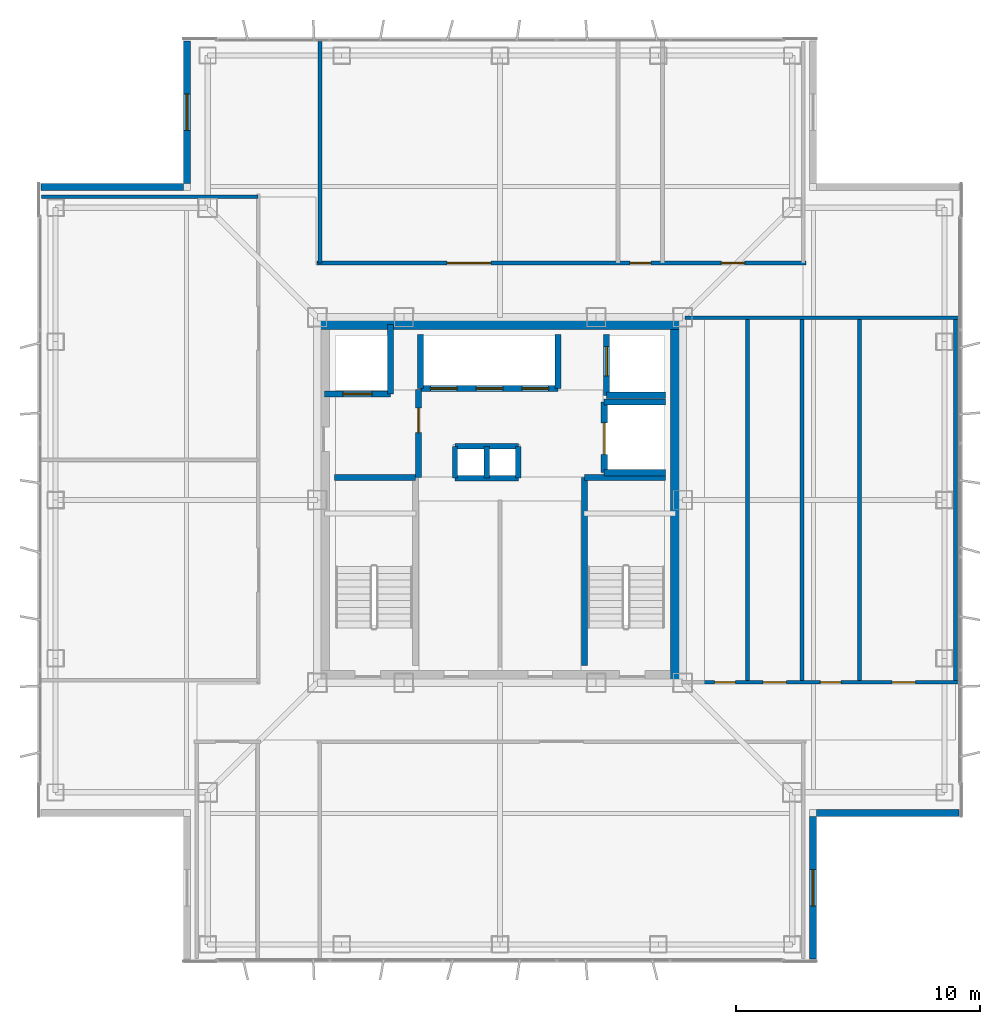
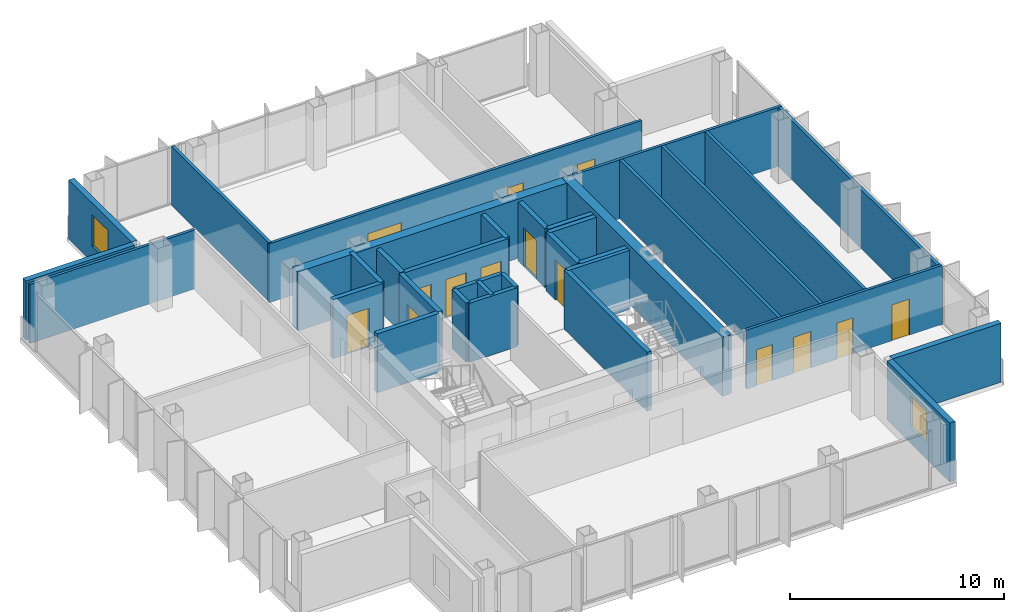
# One storey, part 8 of 15: 34 walls, 14 doors, 2 windows, 16 openings.
"""IFC4 building model written with IfcOpenShell, lengths in metres."""

import ifcopenshell
import ifcopenshell.guid

model = None  # the IFC model being written
_history = None  # IfcOwnerHistory: only IFC2X3 demands one
_inside = {}  # id of a spatial element -> (the spatial element, [elements in it])
_under = {}  # id of a project, library or spatial element -> (it, [spatial elements below it])
_declared = {}  # id of a project -> (the project, [libraries it declares])
_typed = {}  # id of a type object -> (the type object, [elements of that type])
_made_of = {}  # id of a material, layer set ... -> (it, [elements and type objects made of it])


def new_model(schema):
    """Start an empty IFC model of exactly this schema.

    Asked for "IFC4X3", IfcOpenShell would pick the latest addendum, in which some entities
    have other attributes; the version numbers below select the first issue.
    IFC2X3 requires an IfcOwnerHistory on every rooted entity: one is made here for all.
    """
    global model, _history
    if schema == "IFC4X3":
        model = ifcopenshell.file(schema_version=(4, 3, 0, 0))
    else:
        model = ifcopenshell.file(schema=schema)
    _inside.clear()
    _under.clear()
    _declared.clear()
    _typed.clear()
    _made_of.clear()
    _history = None
    if model.schema == "IFC2X3":
        org = make("IfcOrganization", Name="unknown")
        user = make(
            "IfcPersonAndOrganization",
            ThePerson=make("IfcPerson", FamilyName="unknown"),
            TheOrganization=org,
        )
        app = make(
            "IfcApplication",
            ApplicationDeveloper=org,
            Version="unknown",
            ApplicationFullName="unknown",
            ApplicationIdentifier="unknown",
        )
        _history = make(
            "IfcOwnerHistory",
            OwningUser=user,
            OwningApplication=app,
            ChangeAction="ADDED",
            CreationDate=0,
        )
    return model


def make(cls, **values):
    """One entity of the class cls with the attributes given. An attribute that is None is left unset."""
    return model.create_entity(
        cls, **{name: value for name, value in values.items() if value is not None}
    )


def rooted(cls, **values):
    """An entity with a GlobalId (a new one), such as an element, a storey or a relation."""
    return make(cls, GlobalId=ifcopenshell.guid.new(), OwnerHistory=_history, **values)


def si_unit(unit_type, name, prefix=None):
    """IfcSIUnit, for example si_unit("LENGTHUNIT", "METRE", prefix="MILLI")."""
    return make("IfcSIUnit", UnitType=unit_type, Prefix=prefix, Name=name)


def assignment(units):
    """IfcUnitAssignment: the units of a project."""
    return None if units is None else make("IfcUnitAssignment", Units=units)


def point(xyz):
    """IfcCartesianPoint."""
    return None if xyz is None else make("IfcCartesianPoint", Coordinates=xyz)


def direction(xyz):
    """IfcDirection."""
    return None if xyz is None else make("IfcDirection", DirectionRatios=xyz)


def frame(location, z_axis=None, x_axis=None):
    """IfcAxis2Placement3D, a coordinate frame: its origin and axes. An axis left out is left unset."""
    return make(
        "IfcAxis2Placement3D",
        Location=point(location),
        Axis=direction(z_axis),
        RefDirection=direction(x_axis),
    )


def frame_2d(location, x_axis=None):
    """IfcAxis2Placement2D, a coordinate frame in the plane: its origin and x axis."""
    return make(
        "IfcAxis2Placement2D", Location=point(location), RefDirection=direction(x_axis)
    )


def origin():
    """The frame at (0, 0, 0) with its axes left unset."""
    return frame((0.0, 0.0, 0.0))


def place(relative_to, where):
    """IfcLocalPlacement: puts the frame where relative to a parent placement (None: the world)."""
    return make(
        "IfcLocalPlacement", PlacementRelTo=relative_to, RelativePlacement=where
    )


def context(
    kind, dimensions, precision=None, world=None, true_north=None, identifier=None
):
    """IfcGeometricRepresentationContext, for example the 3D "Model" context."""
    return make(
        "IfcGeometricRepresentationContext",
        ContextIdentifier=identifier,
        ContextType=kind,
        CoordinateSpaceDimension=dimensions,
        Precision=precision,
        WorldCoordinateSystem=world,
        TrueNorth=true_north,
    )


def subcontext(parent, identifier, kind, view, scale=None):
    """IfcGeometricRepresentationSubContext, for example "Body" below "Model"."""
    return make(
        "IfcGeometricRepresentationSubContext",
        ContextIdentifier=identifier,
        ContextType=kind,
        ParentContext=parent,
        TargetScale=scale,
        TargetView=view,
    )


def project(units=None, contexts=None):
    """IfcProject with its units and contexts."""
    return rooted(
        "IfcProject",
        Name="project",
        RepresentationContexts=contexts,
        UnitsInContext=assignment(units),
    )


def spatial(cls, under=None, at=None, **own):
    """A site, building, storey or space (cls), placed at a placement, below another one or the project."""
    s = rooted(cls, ObjectPlacement=at, **own)
    if under is not None:
        _under.setdefault(under.id(), (under, []))[1].append(s)
    return s


def profile(cls, at=None, kind="AREA", **sizes):
    """A parametric profile (cls). Its sizes go by their IFC names, for example OverallWidth=200.0."""
    return make(cls, ProfileType=kind, Position=at, **sizes)


def rectangle(**sizes):
    """IfcRectangleProfileDef."""
    return profile("IfcRectangleProfileDef", **sizes)


def extrude(swept, where, along, depth):
    """IfcExtrudedAreaSolid: the profile swept, set in the frame where, extruded along a direction by depth."""
    return make(
        "IfcExtrudedAreaSolid",
        SweptArea=swept,
        Position=where,
        ExtrudedDirection=direction(along),
        Depth=depth,
    )


def shape(context_of_items, identifier, shape_type, items):
    """IfcShapeRepresentation: the items that make up one representation, for example the "Body"."""
    return make(
        "IfcShapeRepresentation",
        ContextOfItems=context_of_items,
        RepresentationIdentifier=identifier,
        RepresentationType=shape_type,
        Items=items,
    )


def material(Name=None, Category=None):
    """IfcMaterial."""
    return make("IfcMaterial", Name=Name, Category=Category)


def layer(
    of_material, thickness, ventilated=None, Name=None, Category=None, Priority=None
):
    """IfcMaterialLayer: one layer of a wall or slab, of a material (None: an air gap)."""
    return make(
        "IfcMaterialLayer",
        Material=of_material,
        LayerThickness=thickness,
        IsVentilated=ventilated,
        Name=Name,
        Category=Category,
        Priority=Priority,
    )


def layer_set(layers, Name=None):
    """IfcMaterialLayerSet."""
    return make("IfcMaterialLayerSet", MaterialLayers=layers, LayerSetName=Name)


def made_of(thing, what):
    """Note that an element or type object is made of a material, layer set ...; save() writes the relation."""
    if what is not None:
        _made_of.setdefault(what.id(), (what, []))[1].append(thing)
    return thing


def type_object(cls, material=None, **own):
    """A type object (cls), such as IfcWallType, which elements share."""
    return made_of(rooted(cls, **own), material)


def element(
    cls,
    number,
    at=None,
    inside=None,
    cuts=None,
    type_object=None,
    material=None,
    context=None,
    identifier="Body",
    shape_type=None,
    held_by="IfcProductDefinitionShape",
    body=None,
    shapes=None,
    **own,
):
    """One element of the class cls, such as IfcWall. Its Tag is "e" and its number.

    at: its placement. inside: the storey or other place that contains it. cuts: it is an
    opening in that element (IfcRelVoidsElement). A single representation is given by context,
    identifier, shape_type and body (its items); several are given by shapes. held_by: the class
    of the entity that holds the representations. save() writes the other relations.
    """
    e = rooted(cls, Tag="e%d" % number, ObjectPlacement=at, **own)
    if body is not None:
        shapes = [shape(context, identifier, shape_type, body)]
    if shapes is not None:
        e.Representation = make(held_by, Representations=shapes)
    if inside is not None:
        _inside.setdefault(inside.id(), (inside, []))[1].append(e)
    if cuts is not None:
        rooted(
            "IfcRelVoidsElement", RelatingBuildingElement=cuts, RelatedOpeningElement=e
        )
    if type_object is not None:
        _typed.setdefault(type_object.id(), (type_object, []))[1].append(e)
    return made_of(e, material)


def fill(opening, filler):
    """IfcRelFillsElement: the door or window that sits in an opening."""
    return rooted(
        "IfcRelFillsElement",
        RelatingOpeningElement=opening,
        RelatedBuildingElement=filler,
    )


def aggregate(whole, parts):
    """IfcRelAggregates: a whole, such as a stair, and the parts it consists of."""
    return rooted("IfcRelAggregates", RelatingObject=whole, RelatedObjects=parts)


def save(model, path):
    """Write the relations noted so far, then the file.

    IfcRelAggregates (storeys below a building ...), IfcRelContainedInSpatialStructure (elements
    in a storey), IfcRelDefinesByType, IfcRelAssociatesMaterial and IfcRelDeclares: one each for
    every whole, place, type object, material and project.
    """
    for whole, parts in _under.values():
        aggregate(whole, parts)
    for where, things in _inside.values():
        rooted(
            "IfcRelContainedInSpatialStructure",
            RelatedElements=things,
            RelatingStructure=where,
        )
    for kind, things in _typed.values():
        rooted("IfcRelDefinesByType", RelatedObjects=things, RelatingType=kind)
    for what, things in _made_of.values():
        rooted("IfcRelAssociatesMaterial", RelatedObjects=things, RelatingMaterial=what)
    for by, libraries in _declared.values():
        rooted("IfcRelDeclares", RelatingContext=by, RelatedDefinitions=libraries)
    model.write(path)


model = new_model("IFC4")

# Units and contexts
model_context = context("Model", 3, precision=1e-05, world=origin(), true_north=direction((0.0, 1.0)))
body_context = subcontext(model_context, "Body", "Model", "MODEL_VIEW")
ifc_project = project(units=[si_unit("LENGTHUNIT", "METRE"), si_unit("AREAUNIT", "SQUARE_METRE"), si_unit("VOLUMEUNIT", "CUBIC_METRE"), si_unit("PLANEANGLEUNIT", "RADIAN"), si_unit("MASSUNIT", "GRAM", prefix="KILO")], contexts=[model_context])

# Site, building, storey
site_placement = place(None, origin())
site = spatial("IfcSite", under=ifc_project, at=site_placement, CompositionType="ELEMENT")
building_placement = place(site_placement, origin())
building = spatial("IfcBuilding", under=site, at=building_placement, Name="Trevonay Congress Spire", CompositionType="ELEMENT")
storey_placement = place(building_placement, frame((0.0, 0.0, 261.199951171875)))
storey = spatial("IfcBuildingStorey", under=building, at=storey_placement, Name="L68", CompositionType="ELEMENT", Elevation=261.199951171875)

# Walls
ifc_material_1 = material(Name="Concrete C50/60", Category="concrete")
ifc_layer_1 = layer(ifc_material_1, 0.5, Name="Concrete C50/60")
ifc_layer_set_1 = layer_set([ifc_layer_1], Name="Concrete C50/60")
wall_type_1 = type_object("IfcWallType", Name="WAL-CORE-500", PredefinedType="SHEAR", material=ifc_layer_set_1)
for number, where, z_axis, x_axis, name in (
    (1, (-7.5, 7.25, 0.0), (0.0, 0.0, 1.0), (1.0, 0.0, 0.0), "L68 North structural core shear wall"),
    (2, (7.25, -7.5, 0.0), (0.0, 0.0, 1.0), (0.0, 1.0, 0.0), "L68 East structural core shear wall"),
):
    element("IfcWall", number, at=place(storey_placement, frame(where, z_axis=z_axis, x_axis=x_axis)), inside=storey, type_object=wall_type_1, Name=name, PredefinedType="SHEAR", context=body_context, shape_type="SweptSolid", body=[
        extrude(rectangle(XDim=15.0, YDim=0.5, at=frame_2d((7.5, 0.0))), origin(), (0.0, 0.0, 1.0), 3.360107421875),
    ])

# Wall, openings, doors
ifc_material_2 = material(Name="Concrete C40/50", Category="concrete")
ifc_layer_2 = layer(ifc_material_2, 0.14990234375, Name="Concrete C40/50")
ifc_layer_set_2 = layer_set([ifc_layer_2], Name="Concrete C40/50")
wall_type_2 = type_object("IfcWallType", Name="WAL-CORR-150", PredefinedType="PARTITIONING", material=ifc_layer_set_2)
wall_1_placement = place(storey_placement, frame((-7.52001953125, 9.72998046875, 0.0), z_axis=(0.0, 0.0, 1.0), x_axis=(1.0, 0.0, 0.0)))
wall_1 = element("IfcWall", 3, at=wall_1_placement, inside=storey, type_object=wall_type_2, Name="L68 interior wall WP-L68N-COR", PredefinedType="PARTITIONING", context=body_context, shape_type="SweptSolid", body=[
    extrude(rectangle(XDim=20.090087890625, YDim=0.14990234375, at=frame_2d((10.044921875, 0.0))), origin(), (0.0, 0.0, 1.0), 3.360107421875),
])
opening_1_placement = place(wall_1_placement, frame((5.344970703125, 0.0, 0.0)))
opening_1 = element("IfcOpeningElement", 4, at=opening_1_placement, cuts=wall_1, Name="Opening D09", PredefinedType="OPENING", context=body_context, shape_type="SweptSolid", body=[
    extrude(rectangle(XDim=1.800048828125, YDim=2.080078125, at=frame_2d((0.89990234375, 1.0400390625))), frame((0.0, 0.0849609375, 0.0), z_axis=(0.0, -1.0, 0.0), x_axis=(1.0, 0.0, 0.0)), (0.0, 0.0, 1.0), 0.169921875),
])
opening_2_placement = place(wall_1_placement, frame((12.860107421875, 0.0, 0.0)))
opening_2 = element("IfcOpeningElement", 5, at=opening_2_placement, cuts=wall_1, Name="Opening D10", PredefinedType="OPENING", context=body_context, shape_type="SweptSolid", body=[
    extrude(rectangle(XDim=0.85009765625, YDim=2.050048828125, at=frame_2d((0.425048828125, 1.02490234375))), frame((0.0, 0.0849609375, 0.0), z_axis=(0.0, -1.0, 0.0), x_axis=(1.0, 0.0, 0.0)), (0.0, 0.0, 1.0), 0.169921875),
])
opening_3_placement = place(wall_1_placement, frame((16.610107421875, 0.0, 0.0)))
opening_3 = element("IfcOpeningElement", 6, at=opening_3_placement, cuts=wall_1, Name="Opening D07", PredefinedType="OPENING", context=body_context, shape_type="SweptSolid", body=[
    extrude(rectangle(XDim=0.949951171875, YDim=2.06005859375, at=frame_2d((0.47509765625, 1.030029296875))), frame((0.0, 0.0849609375, 0.0), z_axis=(0.0, -1.0, 0.0), x_axis=(1.0, 0.0, 0.0)), (0.0, 0.0, 1.0), 0.169921875),
])
ifc_material_3 = material(Name="Pale Anodised Aluminium EN AW-6063-T6", Category="aluminium")
door_type_1 = type_object("IfcDoorType", Name="DOR-CONF-DBL", OperationType="DOUBLE_DOOR_SINGLE_SWING", PredefinedType="DOOR", material=ifc_material_3)
door_1_placement = place(opening_1_placement, origin())
door_1 = element("IfcDoor", 7, at=door_1_placement, inside=storey, type_object=door_type_1, Name="L68 Sky Cocktail Lounge Bar Door", OperationType="DOUBLE_DOOR_SINGLE_SWING", OverallHeight=2.080078125, OverallWidth=1.800048828125, PredefinedType="DOOR", context=body_context, shape_type="SweptSolid", body=[
    extrude(rectangle(XDim=1.800048828125, YDim=2.080078125, at=frame_2d((0.89990234375, 1.0400390625))), frame((0.0, 0.02490234375, 0.0), z_axis=(0.0, -1.0, 0.0), x_axis=(1.0, 0.0, 0.0)), (0.0, 0.0, 1.0), 0.050048828125),
])
fill(opening_1, door_1)
door_type_2 = type_object("IfcDoorType", Name="DOR-OFFICE-95", OperationType="NOTDEFINED", PredefinedType="DOOR", material=ifc_material_3)
door_2_placement = place(opening_3_placement, origin())
door_2 = element("IfcDoor", 8, at=door_2_placement, inside=storey, type_object=door_type_2, Name="L68 Floor Supplies and Copy Room Door", OperationType="SINGLE_SWING_LEFT", OverallHeight=2.06005859375, OverallWidth=0.949951171875, PredefinedType="DOOR", context=body_context, shape_type="SweptSolid", body=[
    extrude(rectangle(XDim=0.949951171875, YDim=2.06005859375, at=frame_2d((0.47509765625, 1.030029296875))), frame((0.0, 0.02490234375, 0.0), z_axis=(0.0, -1.0, 0.0), x_axis=(1.0, 0.0, 0.0)), (0.0, 0.0, 1.0), 0.050048828125),
])
fill(opening_3, door_2)
door_type_3 = type_object("IfcDoorType", Name="DOR-WC-85", OperationType="NOTDEFINED", PredefinedType="DOOR", material=ifc_material_3)
door_3_placement = place(opening_2_placement, origin())
door_3 = element("IfcDoor", 9, at=door_3_placement, inside=storey, type_object=door_type_3, Name="L68 Accessible WC Door", OperationType="SINGLE_SWING_RIGHT", OverallHeight=2.050048828125, OverallWidth=0.85009765625, PredefinedType="DOOR", context=body_context, shape_type="SweptSolid", body=[
    extrude(rectangle(XDim=0.85009765625, YDim=2.050048828125, at=frame_2d((0.425048828125, 1.02490234375))), frame((0.0, 0.02490234375, 0.0), z_axis=(0.0, -1.0, 0.0), x_axis=(1.0, 0.0, 0.0)), (0.0, 0.0, 1.0), 0.050048828125),
])
fill(opening_2, door_3)

wall_2_placement = place(storey_placement, frame((8.280029296875, -7.47998046875, 0.0), z_axis=(0.0, 0.0, 1.0), x_axis=(1.0, 0.0, 0.0)))
wall_2 = element("IfcWall", 10, at=wall_2_placement, inside=storey, type_object=wall_type_2, Name="L68 interior wall WP-L68E-COR", PredefinedType="PARTITIONING", context=body_context, shape_type="SweptSolid", body=[
    extrude(rectangle(XDim=10.5400390625, YDim=0.14990234375, at=frame_2d((5.27001953125, 0.0))), origin(), (0.0, 0.0, 1.0), 3.360107421875),
])
opening_4_placement = place(wall_2_placement, frame((0.534912109375, 0.0, 0.0)))
opening_4 = element("IfcOpeningElement", 11, at=opening_4_placement, cuts=wall_2, Name="Opening D10", PredefinedType="OPENING", context=body_context, shape_type="SweptSolid", body=[
    extrude(rectangle(XDim=0.85009765625, YDim=2.050048828125, at=frame_2d((0.425048828125, 1.02490234375))), frame((0.0, 0.0849609375, 0.0), z_axis=(0.0, -1.0, 0.0), x_axis=(1.0, 0.0, 0.0)), (0.0, 0.0, 1.0), 0.169921875),
])
opening_5_placement = place(wall_2_placement, frame((2.52490234375, 0.0, 0.0)))
opening_5 = element("IfcOpeningElement", 12, at=opening_5_placement, cuts=wall_2, Name="Opening D07", PredefinedType="OPENING", context=body_context, shape_type="SweptSolid", body=[
    extrude(rectangle(XDim=0.949951171875, YDim=2.06005859375, at=frame_2d((0.47509765625, 1.030029296875))), frame((0.0, 0.0849609375, 0.0), z_axis=(0.0, -1.0, 0.0), x_axis=(1.0, 0.0, 0.0)), (0.0, 0.0, 1.0), 0.169921875),
])
opening_6_placement = place(wall_2_placement, frame((4.8701171875, 0.0, 0.0)))
opening_6 = element("IfcOpeningElement", 13, at=opening_6_placement, cuts=wall_2, Name="Opening D10", PredefinedType="OPENING", context=body_context, shape_type="SweptSolid", body=[
    extrude(rectangle(XDim=0.85009765625, YDim=2.050048828125, at=frame_2d((0.425048828125, 1.02490234375))), frame((0.0, 0.0849609375, 0.0), z_axis=(0.0, -1.0, 0.0), x_axis=(1.0, 0.0, 0.0)), (0.0, 0.0, 1.0), 0.169921875),
])
opening_7_placement = place(wall_2_placement, frame((7.820068359375, 0.0, 0.0)))
opening_7 = element("IfcOpeningElement", 14, at=opening_7_placement, cuts=wall_2, Name="Opening D07", PredefinedType="OPENING", context=body_context, shape_type="SweptSolid", body=[
    extrude(rectangle(XDim=0.949951171875, YDim=2.06005859375, at=frame_2d((0.47509765625, 1.030029296875))), frame((0.0, 0.0849609375, 0.0), z_axis=(0.0, -1.0, 0.0), x_axis=(1.0, 0.0, 0.0)), (0.0, 0.0, 1.0), 0.169921875),
])
door_4_placement = place(opening_5_placement, origin())
door_4 = element("IfcDoor", 15, at=door_4_placement, inside=storey, type_object=door_type_2, Name="L68 Floor Supplies and Copy Room Door", OperationType="SINGLE_SWING_LEFT", OverallHeight=2.06005859375, OverallWidth=0.949951171875, PredefinedType="DOOR", context=body_context, shape_type="SweptSolid", body=[
    extrude(rectangle(XDim=0.949951171875, YDim=2.06005859375, at=frame_2d((0.47509765625, 1.030029296875))), frame((0.0, 0.02490234375, 0.0), z_axis=(0.0, -1.0, 0.0), x_axis=(1.0, 0.0, 0.0)), (0.0, 0.0, 1.0), 0.050048828125),
])
fill(opening_5, door_4)
door_5_placement = place(opening_7_placement, origin())
door_5 = element("IfcDoor", 16, at=door_5_placement, inside=storey, type_object=door_type_2, Name="L68 Floor Supplies and Copy Room Door", OperationType="SINGLE_SWING_LEFT", OverallHeight=2.06005859375, OverallWidth=0.949951171875, PredefinedType="DOOR", context=body_context, shape_type="SweptSolid", body=[
    extrude(rectangle(XDim=0.949951171875, YDim=2.06005859375, at=frame_2d((0.47509765625, 1.030029296875))), frame((0.0, 0.02490234375, 0.0), z_axis=(0.0, -1.0, 0.0), x_axis=(1.0, 0.0, 0.0)), (0.0, 0.0, 1.0), 0.050048828125),
])
fill(opening_7, door_5)
door_6_placement = place(opening_4_placement, origin())
door_6 = element("IfcDoor", 17, at=door_6_placement, inside=storey, type_object=door_type_3, Name="L68 Female Restroom WC Door", OperationType="SINGLE_SWING_RIGHT", OverallHeight=2.050048828125, OverallWidth=0.85009765625, PredefinedType="DOOR", context=body_context, shape_type="SweptSolid", body=[
    extrude(rectangle(XDim=0.85009765625, YDim=2.050048828125, at=frame_2d((0.425048828125, 1.02490234375))), frame((0.0, 0.02490234375, 0.0), z_axis=(0.0, -1.0, 0.0), x_axis=(1.0, 0.0, 0.0)), (0.0, 0.0, 1.0), 0.050048828125),
])
fill(opening_4, door_6)
door_7_placement = place(opening_6_placement, origin())
door_7 = element("IfcDoor", 18, at=door_7_placement, inside=storey, type_object=door_type_3, Name="L68 Male Restroom WC Door", OperationType="SINGLE_SWING_RIGHT", OverallHeight=2.050048828125, OverallWidth=0.85009765625, PredefinedType="DOOR", context=body_context, shape_type="SweptSolid", body=[
    extrude(rectangle(XDim=0.85009765625, YDim=2.050048828125, at=frame_2d((0.425048828125, 1.02490234375))), frame((0.0, 0.02490234375, 0.0), z_axis=(0.0, -1.0, 0.0), x_axis=(1.0, 0.0, 0.0)), (0.0, 0.0, 1.0), 0.050048828125),
])
fill(opening_6, door_7)

# Wall, opening, window
ifc_material_4 = material(Name="Precast concrete C40/50", Category="concrete")
ifc_layer_3 = layer(ifc_material_4, 0.300048828125, Name="Precast concrete C40/50")
ifc_layer_set_3 = layer_set([ifc_layer_3], Name="Precast concrete C40/50")
wall_type_3 = type_object("IfcWallType", Name="WAL-EXT-PRECAST-300", PredefinedType="SOLIDWALL", material=ifc_layer_set_3)
wall_3_placement = place(storey_placement, frame((12.85009765625, -18.85009765625, 0.0), z_axis=(0.0, 0.0, 1.0), x_axis=(0.0, 1.0, 0.0)))
wall_3 = element("IfcWall", 19, at=wall_3_placement, inside=storey, type_object=wall_type_3, Name="L68 SE re-entrant notch exterior wall 1", PredefinedType="SOLIDWALL", context=body_context, shape_type="SweptSolid", body=[
    extrude(rectangle(XDim=5.85009765625, YDim=0.300048828125, at=frame_2d((2.925048828125, 0.0))), origin(), (0.0, 0.0, 1.0), 3.360107421875),
])
opening_8_placement = place(wall_3_placement, frame((2.175048828125, 0.0, 0.89990234375)))
opening_8 = element("IfcOpeningElement", 20, at=opening_8_placement, cuts=wall_3, Name="Opening WN03", PredefinedType="OPENING", context=body_context, shape_type="SweptSolid", body=[
    extrude(rectangle(XDim=1.5, YDim=1.800048828125, at=frame_2d((0.75, 0.89990234375))), frame((0.0, 0.16015625, 0.0), z_axis=(0.0, -1.0, 0.0), x_axis=(1.0, 0.0, 0.0)), (0.0, 0.0, 1.0), 0.320068359375),
])
ifc_material_5 = material(Name="Insulated Low-E Vision Glass IGU", Category="glass")
window_type = type_object("IfcWindowType", Name="WIN-NOTCH-150X180", PartitioningType="SINGLE_PANEL", PredefinedType="WINDOW", material=ifc_material_5)
window_1_placement = place(opening_8_placement, origin())
window_1 = element("IfcWindow", 21, at=window_1_placement, inside=storey, type_object=window_type, Name="L68 SE corner notch window", OverallHeight=1.800048828125, OverallWidth=1.5, PartitioningType="SINGLE_PANEL", PredefinedType="WINDOW", context=body_context, shape_type="SweptSolid", body=[
    extrude(rectangle(XDim=1.5, YDim=1.800048828125, at=frame_2d((0.75, 0.89990234375))), frame((0.0, 0.030029296875, 0.0), z_axis=(0.0, -1.0, 0.0), x_axis=(1.0, 0.0, 0.0)), (0.0, 0.0, 1.0), 0.06005859375),
])
fill(opening_8, window_1)

# Wall
wall_4_placement = place(storey_placement, frame((18.85009765625, -12.85009765625, 0.0), z_axis=(0.0, 0.0, 1.0), x_axis=(-1.0, 0.0, 0.0)))
element("IfcWall", 22, at=wall_4_placement, inside=storey, type_object=wall_type_3, Name="L68 SE re-entrant notch exterior wall 2", PredefinedType="SOLIDWALL", context=body_context, shape_type="SweptSolid", body=[
    extrude(rectangle(XDim=5.85009765625, YDim=0.300048828125, at=frame_2d((2.925048828125, 0.0))), origin(), (0.0, 0.0, 1.0), 3.360107421875),
])

# Wall, opening, window
wall_5_placement = place(storey_placement, frame((-12.85009765625, 18.85009765625, 0.0), z_axis=(0.0, 0.0, 1.0), x_axis=(0.0, -1.0, 0.0)))
wall_5 = element("IfcWall", 23, at=wall_5_placement, inside=storey, type_object=wall_type_3, Name="L68 NW re-entrant notch exterior wall 1", PredefinedType="SOLIDWALL", context=body_context, shape_type="SweptSolid", body=[
    extrude(rectangle(XDim=5.85009765625, YDim=0.300048828125, at=frame_2d((2.925048828125, 0.0))), origin(), (0.0, 0.0, 1.0), 3.360107421875),
])
opening_9_placement = place(wall_5_placement, frame((2.175048828125, 0.0, 0.89990234375)))
opening_9 = element("IfcOpeningElement", 24, at=opening_9_placement, cuts=wall_5, Name="Opening WN03", PredefinedType="OPENING", context=body_context, shape_type="SweptSolid", body=[
    extrude(rectangle(XDim=1.5, YDim=1.800048828125, at=frame_2d((0.75, 0.89990234375))), frame((0.0, 0.16015625, 0.0), z_axis=(0.0, -1.0, 0.0), x_axis=(1.0, 0.0, 0.0)), (0.0, 0.0, 1.0), 0.320068359375),
])
window_2_placement = place(opening_9_placement, origin())
window_2 = element("IfcWindow", 25, at=window_2_placement, inside=storey, type_object=window_type, Name="L68 NW corner notch window", OverallHeight=1.800048828125, OverallWidth=1.5, PartitioningType="SINGLE_PANEL", PredefinedType="WINDOW", context=body_context, shape_type="SweptSolid", body=[
    extrude(rectangle(XDim=1.5, YDim=1.800048828125, at=frame_2d((0.75, 0.89990234375))), frame((0.0, 0.030029296875, 0.0), z_axis=(0.0, -1.0, 0.0), x_axis=(1.0, 0.0, 0.0)), (0.0, 0.0, 1.0), 0.06005859375),
])
fill(opening_9, window_2)

# Walls
wall_6_placement = place(storey_placement, frame((-18.85009765625, 12.85009765625, 0.0), z_axis=(0.0, 0.0, 1.0), x_axis=(1.0, 0.0, 0.0)))
element("IfcWall", 26, at=wall_6_placement, inside=storey, type_object=wall_type_3, Name="L68 NW re-entrant notch exterior wall 2", PredefinedType="SOLIDWALL", context=body_context, shape_type="SweptSolid", body=[
    extrude(rectangle(XDim=5.85009765625, YDim=0.300048828125, at=frame_2d((2.925048828125, 0.0))), origin(), (0.0, 0.0, 1.0), 3.360107421875),
])
ifc_layer_4 = layer(ifc_material_2, 0.14990234375, Name="Concrete C40/50")
ifc_layer_set_4 = layer_set([ifc_layer_4], Name="Concrete C40/50")
wall_type_4 = type_object("IfcWallType", Name="WAL-PART-150", PredefinedType="PARTITIONING", material=ifc_layer_set_4)
wall_7_placement = place(storey_placement, frame((-18.820068359375, 12.449951171875, 0.0), z_axis=(0.0, 0.0, 1.0), x_axis=(1.0, 0.0, 0.0)))
element("IfcWall", 27, at=wall_7_placement, inside=storey, type_object=wall_type_4, Name="L68 interior wall WP-L68NW-DIV3", PredefinedType="PARTITIONING", context=body_context, shape_type="SweptSolid", body=[
    extrude(rectangle(XDim=8.89013671875, YDim=0.14990234375, at=frame_2d((4.445068359375, 0.0))), origin(), (0.0, 0.0, 1.0), 3.360107421875),
])
wall_8_placement = place(storey_placement, frame((7.60009765625, 7.47998046875, 0.0), z_axis=(0.0, 0.0, 1.0), x_axis=(1.0, 0.0, 0.0)))
element("IfcWall", 28, at=wall_8_placement, inside=storey, type_object=wall_type_4, Name="L68 interior wall WP-L68E-NCLS", PredefinedType="PARTITIONING", context=body_context, shape_type="SweptSolid", body=[
    extrude(rectangle(XDim=11.219970703125, YDim=0.14990234375, at=frame_2d((5.60986328125, 0.0))), origin(), (0.0, 0.0, 1.0), 3.360107421875),
])
ifc_layer_5 = layer(ifc_material_2, 0.219970703125, Name="Concrete C40/50")
ifc_layer_set_5 = layer_set([ifc_layer_5], Name="Concrete C40/50")
wall_type_5 = type_object("IfcWallType", Name="WAL-SHAFT-220", PredefinedType="PARTITIONING", material=ifc_layer_set_5)
for number, where, z_axis, x_axis, name in (
    (29, (-1.85009765625, 2.199951171875, 0.0), (0.0, 0.0, 1.0), (1.0, 0.0, 0.0), "L68 interior shaft wall WSH-L68-RSR-N"),
    (30, (-1.85009765625, 0.89990234375, 0.0), (0.0, 0.0, 1.0), (1.0, 0.0, 0.0), "L68 interior shaft wall WSH-L68-RSR-S"),
):
    element("IfcWall", number, at=place(storey_placement, frame(where, z_axis=z_axis, x_axis=x_axis)), inside=storey, type_object=wall_type_5, Name=name, PredefinedType="PARTITIONING", context=body_context, shape_type="SweptSolid", body=[
        extrude(rectangle(XDim=2.60009765625, YDim=0.219970703125, at=frame_2d((1.300048828125, 0.0))), origin(), (0.0, 0.0, 1.0), 3.360107421875),
    ])
for number, where, z_axis, x_axis, name in (
    (31, (-0.550048828125, 0.89990234375, 0.0), (0.0, 0.0, 1.0), (0.0, 1.0, 0.0), "L68 interior shaft wall WSH-L68-RSR-M"),
    (32, (0.75, 0.89990234375, 0.0), (0.0, 0.0, 1.0), (0.0, 1.0, 0.0), "L68 interior shaft wall WSH-L68-RSR-E"),
    (33, (-1.85009765625, 0.89990234375, 0.0), (0.0, 0.0, 1.0), (0.0, 1.0, 0.0), "L68 interior shaft wall WSH-L68-RSR-W"),
):
    element("IfcWall", number, at=place(storey_placement, frame(where, z_axis=z_axis, x_axis=x_axis)), inside=storey, type_object=wall_type_5, Name=name, PredefinedType="PARTITIONING", context=body_context, shape_type="SweptSolid", body=[
        extrude(rectangle(XDim=1.300048828125, YDim=0.219970703125, at=frame_2d((0.64990234375, 0.0))), origin(), (0.0, 0.0, 1.0), 3.360107421875),
    ])

# Wall, openings, doors
ifc_layer_6 = layer(ifc_material_2, 0.25, Name="Concrete C40/50")
ifc_layer_set_6 = layer_set([ifc_layer_6], Name="Concrete C40/50")
wall_type_6 = type_object("IfcWallType", Name="WAL-SHAFT-250", PredefinedType="SHEAR", material=ifc_layer_set_6)
wall_9_placement = place(storey_placement, frame((-3.260009765625, 4.580078125, 0.0), z_axis=(0.0, 0.0, 1.0), x_axis=(1.0, 0.0, 0.0)))
wall_9 = element("IfcWall", 34, at=wall_9_placement, inside=storey, type_object=wall_type_6, Name="L68 interior shaft wall WSH-L68-B3-S", PredefinedType="SHEAR", context=body_context, shape_type="SweptSolid", body=[
    extrude(rectangle(XDim=5.639892578125, YDim=0.25, at=frame_2d((2.81982421875, 0.0))), origin(), (0.0, 0.0, 1.0), 3.360107421875),
])
opening_10_placement = place(wall_9_placement, frame((0.39990234375, 0.0, 0.0)))
opening_10 = element("IfcOpeningElement", 35, at=opening_10_placement, cuts=wall_9, Name="Opening LD03", PredefinedType="OPENING", context=body_context, shape_type="SweptSolid", body=[
    extrude(rectangle(XDim=1.10009765625, YDim=2.199951171875, at=frame_2d((0.550048828125, 1.10009765625))), frame((0.0, 0.135009765625, 0.0), z_axis=(0.0, -1.0, 0.0), x_axis=(1.0, 0.0, 0.0)), (0.0, 0.0, 1.0), 0.27001953125),
])
opening_11_placement = place(wall_9_placement, frame((2.280029296875, 0.0, 0.0)))
opening_11 = element("IfcOpeningElement", 36, at=opening_11_placement, cuts=wall_9, Name="Opening LD03", PredefinedType="OPENING", context=body_context, shape_type="SweptSolid", body=[
    extrude(rectangle(XDim=1.10009765625, YDim=2.199951171875, at=frame_2d((0.550048828125, 1.10009765625))), frame((0.0, 0.135009765625, 0.0), z_axis=(0.0, -1.0, 0.0), x_axis=(1.0, 0.0, 0.0)), (0.0, 0.0, 1.0), 0.27001953125),
])
opening_12_placement = place(wall_9_placement, frame((4.159912109375, 0.0, 0.0)))
opening_12 = element("IfcOpeningElement", 37, at=opening_12_placement, cuts=wall_9, Name="Opening LD03", PredefinedType="OPENING", context=body_context, shape_type="SweptSolid", body=[
    extrude(rectangle(XDim=1.10009765625, YDim=2.199951171875, at=frame_2d((0.550048828125, 1.10009765625))), frame((0.0, 0.135009765625, 0.0), z_axis=(0.0, -1.0, 0.0), x_axis=(1.0, 0.0, 0.0)), (0.0, 0.0, 1.0), 0.27001953125),
])
door_type_4 = type_object("IfcDoorType", Name="DOR-LIFT-LD03", OperationType="DOUBLE_DOOR_SLIDING", PredefinedType="DOOR", material=ifc_material_3)
door_8_placement = place(opening_10_placement, origin())
door_8 = element("IfcDoor", 38, at=door_8_placement, inside=storey, type_object=door_type_4, Name="L68 Passenger lift PL-07 landing door", OperationType="DOUBLE_DOOR_SLIDING", OverallHeight=2.199951171875, OverallWidth=1.10009765625, PredefinedType="DOOR", context=body_context, shape_type="SweptSolid", body=[
    extrude(rectangle(XDim=1.10009765625, YDim=2.199951171875, at=frame_2d((0.550048828125, 1.10009765625))), frame((0.0, 0.02490234375, 0.0), z_axis=(0.0, -1.0, 0.0), x_axis=(1.0, 0.0, 0.0)), (0.0, 0.0, 1.0), 0.050048828125),
])
fill(opening_10, door_8)
door_9_placement = place(opening_11_placement, origin())
door_9 = element("IfcDoor", 39, at=door_9_placement, inside=storey, type_object=door_type_4, Name="L68 Passenger lift PL-08 landing door", OperationType="DOUBLE_DOOR_SLIDING", OverallHeight=2.199951171875, OverallWidth=1.10009765625, PredefinedType="DOOR", context=body_context, shape_type="SweptSolid", body=[
    extrude(rectangle(XDim=1.10009765625, YDim=2.199951171875, at=frame_2d((0.550048828125, 1.10009765625))), frame((0.0, 0.02490234375, 0.0), z_axis=(0.0, -1.0, 0.0), x_axis=(1.0, 0.0, 0.0)), (0.0, 0.0, 1.0), 0.050048828125),
])
fill(opening_11, door_9)
door_10_placement = place(opening_12_placement, origin())
door_10 = element("IfcDoor", 40, at=door_10_placement, inside=storey, type_object=door_type_4, Name="L68 Passenger lift PL-09 landing door", OperationType="DOUBLE_DOOR_SLIDING", OverallHeight=2.199951171875, OverallWidth=1.10009765625, PredefinedType="DOOR", context=body_context, shape_type="SweptSolid", body=[
    extrude(rectangle(XDim=1.10009765625, YDim=2.199951171875, at=frame_2d((0.550048828125, 1.10009765625))), frame((0.0, 0.02490234375, 0.0), z_axis=(0.0, -1.0, 0.0), x_axis=(1.0, 0.0, 0.0)), (0.0, 0.0, 1.0), 0.050048828125),
])
fill(opening_12, door_10)

# Walls
for number, where, z_axis, x_axis, name in (
    (41, (-3.260009765625, 4.580078125, 0.0), (0.0, 0.0, 1.0), (0.0, 1.0, 0.0), "L68 interior shaft wall WSH-L68-B3-W"),
    (42, (2.3798828125, 4.580078125, 0.0), (0.0, 0.0, 1.0), (0.0, 1.0, 0.0), "L68 interior shaft wall WSH-L68-B3-E"),
):
    element("IfcWall", number, at=place(storey_placement, frame(where, z_axis=z_axis, x_axis=x_axis)), inside=storey, type_object=wall_type_6, Name=name, PredefinedType="SHEAR", context=body_context, shape_type="SweptSolid", body=[
        extrude(rectangle(XDim=2.219970703125, YDim=0.25, at=frame_2d((1.10986328125, 0.0))), origin(), (0.0, 0.0, 1.0), 3.360107421875),
    ])

# Wall, opening, door
wall_10_placement = place(storey_placement, frame((-7.199951171875, 4.35009765625, 0.0), z_axis=(0.0, 0.0, 1.0), x_axis=(1.0, 0.0, 0.0)))
wall_10 = element("IfcWall", 43, at=wall_10_placement, inside=storey, type_object=wall_type_6, Name="L68 interior shaft wall WSH-L68-FF1-S", PredefinedType="SHEAR", context=body_context, shape_type="SweptSolid", body=[
    extrude(rectangle(XDim=2.699951171875, YDim=0.25, at=frame_2d((1.35009765625, 0.0))), origin(), (0.0, 0.0, 1.0), 3.360107421875),
])
opening_13_placement = place(wall_10_placement, frame((0.75, 0.0, 0.0)))
opening_13 = element("IfcOpeningElement", 44, at=opening_13_placement, cuts=wall_10, Name="Opening LD04", PredefinedType="OPENING", context=body_context, shape_type="SweptSolid", body=[
    extrude(rectangle(XDim=1.199951171875, YDim=2.199951171875, at=frame_2d((0.60009765625, 1.10009765625))), frame((0.0, 0.135009765625, 0.0), z_axis=(0.0, -1.0, 0.0), x_axis=(1.0, 0.0, 0.0)), (0.0, 0.0, 1.0), 0.27001953125),
])
ifc_material_6 = material(Name="Steel ASTM A572 Grade 50", Category="steel")
door_type_5 = type_object("IfcDoorType", Name="DOR-LIFT-LD04", OperationType="DOUBLE_DOOR_SLIDING", PredefinedType="DOOR", material=ifc_material_6)
door_11_placement = place(opening_13_placement, origin())
door_11 = element("IfcDoor", 45, at=door_11_placement, inside=storey, type_object=door_type_5, Name="L68 Firefighting lift FFL-01 landing door", OperationType="DOUBLE_DOOR_SLIDING", OverallHeight=2.199951171875, OverallWidth=1.199951171875, PredefinedType="DOOR", context=body_context, shape_type="SweptSolid", body=[
    extrude(rectangle(XDim=1.199951171875, YDim=2.199951171875, at=frame_2d((0.60009765625, 1.10009765625))), frame((0.0, 0.02490234375, 0.0), z_axis=(0.0, -1.0, 0.0), x_axis=(1.0, 0.0, 0.0)), (0.0, 0.0, 1.0), 0.050048828125),
])
fill(opening_13, door_11)

# Walls
wall_11_placement = place(storey_placement, frame((-4.5, 4.35009765625, 0.0), z_axis=(0.0, 0.0, 1.0), x_axis=(0.0, 1.0, 0.0)))
element("IfcWall", 46, at=wall_11_placement, inside=storey, type_object=wall_type_6, Name="L68 interior shaft wall WSH-L68-FF1-E", PredefinedType="SHEAR", context=body_context, shape_type="SweptSolid", body=[
    extrude(rectangle(XDim=2.849853515625, YDim=0.25, at=frame_2d((1.4248046875, 0.0))), origin(), (0.0, 0.0, 1.0), 3.360107421875),
])
wall_12_placement = place(storey_placement, frame((4.3798828125, 4.300048828125, 0.0), z_axis=(0.0, 0.0, 1.0), x_axis=(1.0, 0.0, 0.0)))
element("IfcWall", 47, at=wall_12_placement, inside=storey, type_object=wall_type_6, Name="L68 interior shaft wall WSH-L68-FF2-S", PredefinedType="SHEAR", context=body_context, shape_type="SweptSolid", body=[
    extrude(rectangle(XDim=2.420166015625, YDim=0.25, at=frame_2d((1.2099609375, 0.0))), origin(), (0.0, 0.0, 1.0), 3.360107421875),
])

# Wall, opening, door
wall_13_placement = place(storey_placement, frame((4.3798828125, 4.300048828125, 0.0), z_axis=(0.0, 0.0, 1.0), x_axis=(0.0, 1.0, 0.0)))
wall_13 = element("IfcWall", 48, at=wall_13_placement, inside=storey, type_object=wall_type_6, Name="L68 interior shaft wall WSH-L68-FF2-W", PredefinedType="SHEAR", context=body_context, shape_type="SweptSolid", body=[
    extrude(rectangle(XDim=2.5, YDim=0.25, at=frame_2d((1.25, 0.0))), origin(), (0.0, 0.0, 1.0), 3.360107421875),
])
opening_14_placement = place(wall_13_placement, frame((0.800048828125, 0.0, 0.0)))
opening_14 = element("IfcOpeningElement", 49, at=opening_14_placement, cuts=wall_13, Name="Opening LD04", PredefinedType="OPENING", context=body_context, shape_type="SweptSolid", body=[
    extrude(rectangle(XDim=1.199951171875, YDim=2.199951171875, at=frame_2d((0.60009765625, 1.10009765625))), frame((0.0, 0.135009765625, 0.0), z_axis=(0.0, -1.0, 0.0), x_axis=(1.0, 0.0, 0.0)), (0.0, 0.0, 1.0), 0.27001953125),
])
door_12_placement = place(opening_14_placement, origin())
door_12 = element("IfcDoor", 50, at=door_12_placement, inside=storey, type_object=door_type_5, Name="L68 Firefighting lift FFL-02 landing door", OperationType="DOUBLE_DOOR_SLIDING", OverallHeight=2.199951171875, OverallWidth=1.199951171875, PredefinedType="DOOR", context=body_context, shape_type="SweptSolid", body=[
    extrude(rectangle(XDim=1.199951171875, YDim=2.199951171875, at=frame_2d((0.60009765625, 1.10009765625))), frame((0.0, 0.02490234375, 0.0), z_axis=(0.0, -1.0, 0.0), x_axis=(1.0, 0.0, 0.0)), (0.0, 0.0, 1.0), 0.050048828125),
])
fill(opening_14, door_12)

wall_14_placement = place(storey_placement, frame((4.280029296875, 1.1201171875, 0.0), z_axis=(0.0, 0.0, 1.0), x_axis=(0.0, 1.0, 0.0)))
wall_14 = element("IfcWall", 51, at=wall_14_placement, inside=storey, type_object=wall_type_6, Name="L68 interior shaft wall WSH-L68-SV-W", PredefinedType="SHEAR", context=body_context, shape_type="SweptSolid", body=[
    extrude(rectangle(XDim=2.89990234375, YDim=0.25, at=frame_2d((1.449951171875, 0.0))), origin(), (0.0, 0.0, 1.0), 3.360107421875),
])
opening_15_placement = place(wall_14_placement, frame((0.75, 0.0, 0.0)))
opening_15 = element("IfcOpeningElement", 52, at=opening_15_placement, cuts=wall_14, Name="Opening LD05", PredefinedType="OPENING", context=body_context, shape_type="SweptSolid", body=[
    extrude(rectangle(XDim=1.300048828125, YDim=2.300048828125, at=frame_2d((0.64990234375, 1.14990234375))), frame((0.0, 0.135009765625, 0.0), z_axis=(0.0, -1.0, 0.0), x_axis=(1.0, 0.0, 0.0)), (0.0, 0.0, 1.0), 0.27001953125),
])
door_type_6 = type_object("IfcDoorType", Name="DOR-LIFT-LD05", OperationType="DOUBLE_DOOR_SLIDING", PredefinedType="DOOR", material=ifc_material_6)
door_13_placement = place(opening_15_placement, origin())
door_13 = element("IfcDoor", 53, at=door_13_placement, inside=storey, type_object=door_type_6, Name="L68 Goods lift SVL-01 landing door", OperationType="DOUBLE_DOOR_SLIDING", OverallHeight=2.300048828125, OverallWidth=1.300048828125, PredefinedType="DOOR", context=body_context, shape_type="SweptSolid", body=[
    extrude(rectangle(XDim=1.300048828125, YDim=2.300048828125, at=frame_2d((0.64990234375, 1.14990234375))), frame((0.0, 0.02490234375, 0.0), z_axis=(0.0, -1.0, 0.0), x_axis=(1.0, 0.0, 0.0)), (0.0, 0.0, 1.0), 0.050048828125),
])
fill(opening_15, door_13)

# Walls
for number, where, z_axis, x_axis, name in (
    (54, (4.280029296875, 1.1201171875, 0.0), (0.0, 0.0, 1.0), (1.0, 0.0, 0.0), "L68 interior shaft wall WSH-L68-SV-S"),
    (55, (4.280029296875, 4.02001953125, 0.0), (0.0, 0.0, 1.0), (1.0, 0.0, 0.0), "L68 interior shaft wall WSH-L68-SV-N"),
):
    element("IfcWall", number, at=place(storey_placement, frame(where, z_axis=z_axis, x_axis=x_axis)), inside=storey, type_object=wall_type_6, Name=name, PredefinedType="SHEAR", context=body_context, shape_type="SweptSolid", body=[
        extrude(rectangle(XDim=2.52001953125, YDim=0.25, at=frame_2d((1.260009765625, 0.0))), origin(), (0.0, 0.0, 1.0), 3.360107421875),
    ])

# Wall, opening, door
wall_15_placement = place(storey_placement, frame((-3.35009765625, 0.919921875, 0.0), z_axis=(0.0, 0.0, 1.0), x_axis=(0.0, 1.0, 0.0)))
wall_15 = element("IfcWall", 56, at=wall_15_placement, inside=storey, type_object=wall_type_6, Name="L68 interior wall CW-FFLW-E-L68", PredefinedType="SHEAR", context=body_context, shape_type="SweptSolid", body=[
    extrude(rectangle(XDim=3.6201171875, YDim=0.25, at=frame_2d((1.81005859375, 0.0))), origin(), (0.0, 0.0, 1.0), 3.360107421875),
])
opening_16_placement = place(wall_15_placement, frame((1.85009765625, 0.0, 0.0)))
opening_16 = element("IfcOpeningElement", 57, at=opening_16_placement, cuts=wall_15, Name="Opening D06", PredefinedType="OPENING", context=body_context, shape_type="SweptSolid", body=[
    extrude(rectangle(XDim=1.0, YDim=2.080078125, at=frame_2d((0.5, 1.0400390625))), frame((0.0, 0.135009765625, 0.0), z_axis=(0.0, -1.0, 0.0), x_axis=(1.0, 0.0, 0.0)), (0.0, 0.0, 1.0), 0.27001953125),
])
door_type_7 = type_object("IfcDoorType", Name="DOR-FIRE-100", OperationType="NOTDEFINED", PredefinedType="DOOR", material=ifc_material_6)
door_14_placement = place(opening_16_placement, origin())
door_14 = element("IfcDoor", 58, at=door_14_placement, inside=storey, type_object=door_type_7, Name="L68 Firefighting Core Lobby Transfer Door", OperationType="SINGLE_SWING_RIGHT", OverallHeight=2.080078125, OverallWidth=1.0, PredefinedType="DOOR", context=body_context, shape_type="SweptSolid", body=[
    extrude(rectangle(XDim=1.0, YDim=2.080078125, at=frame_2d((0.5, 1.0400390625))), frame((0.0, 0.02490234375, 0.0), z_axis=(0.0, -1.0, 0.0), x_axis=(1.0, 0.0, 0.0)), (0.0, 0.0, 1.0), 0.050048828125),
])
fill(opening_16, door_14)

# Walls
ifc_layer_7 = layer(ifc_material_2, 0.25, Name="Concrete C40/50")
ifc_layer_set_7 = layer_set([ifc_layer_7], Name="Concrete C40/50")
wall_type_7 = type_object("IfcWallType", Name="WAL-SHAFT-LB-250", PredefinedType="SHEAR", material=ifc_layer_set_7)
wall_16_placement = place(storey_placement, frame((-6.800048828125, 0.919921875, 0.0), z_axis=(0.0, 0.0, 1.0), x_axis=(1.0, 0.0, 0.0)))
element("IfcWall", 59, at=wall_16_placement, inside=storey, type_object=wall_type_7, Name="L68 interior shaft wall WSH-L68-ST1-N", PredefinedType="SHEAR", context=body_context, shape_type="SweptSolid", body=[
    extrude(rectangle(XDim=3.330078125, YDim=0.25, at=frame_2d((1.6650390625, 0.0))), origin(), (0.0, 0.0, 1.0), 3.360107421875),
])
wall_17_placement = place(storey_placement, frame((3.469970703125, -6.800048828125, 0.0), z_axis=(0.0, 0.0, 1.0), x_axis=(0.0, 1.0, 0.0)))
element("IfcWall", 60, at=wall_17_placement, inside=storey, type_object=wall_type_7, Name="L68 interior shaft wall WSH-L68-ST2-W", PredefinedType="SHEAR", context=body_context, shape_type="SweptSolid", body=[
    extrude(rectangle(XDim=7.719970703125, YDim=0.25, at=frame_2d((3.85986328125, 0.0))), origin(), (0.0, 0.0, 1.0), 3.360107421875),
])
wall_18_placement = place(storey_placement, frame((3.469970703125, 0.919921875, 0.0), z_axis=(0.0, 0.0, 1.0), x_axis=(1.0, 0.0, 0.0)))
element("IfcWall", 61, at=wall_18_placement, inside=storey, type_object=wall_type_7, Name="L68 interior shaft wall WSH-L68-ST2-N", PredefinedType="SHEAR", context=body_context, shape_type="SweptSolid", body=[
    extrude(rectangle(XDim=3.330078125, YDim=0.25, at=frame_2d((1.6650390625, 0.0))), origin(), (0.0, 0.0, 1.0), 3.360107421875),
])
ifc_layer_8 = layer(ifc_material_2, 0.1650390625, Name="Concrete C40/50")
ifc_layer_set_8 = layer_set([ifc_layer_8], Name="Concrete C40/50")
wall_type_8 = type_object("IfcWallType", Name="WAL-WET-165", PredefinedType="PLUMBINGWALL", material=ifc_layer_set_8)
wall_19_placement = place(storey_placement, frame((-7.39990234375, 9.72998046875, 0.0), z_axis=(0.0, 0.0, 1.0), x_axis=(0.0, 1.0, 0.0)))
element("IfcWall", 62, at=wall_19_placement, inside=storey, type_object=wall_type_8, Name="L68 interior wall WP-L68N-DIV1", PredefinedType="PLUMBINGWALL", context=body_context, shape_type="SweptSolid", body=[
    extrude(rectangle(XDim=9.090087890625, YDim=0.1650390625, at=frame_2d((4.544921875, 0.0))), origin(), (0.0, 0.0, 1.0), 3.360107421875),
])
for number, where, z_axis, x_axis, name in (
    (63, (10.159912109375, -7.47998046875, 0.0), (0.0, 0.0, 1.0), (0.0, 1.0, 0.0), "L68 interior wall WP-L68E-WCS1"),
    (64, (14.75, -7.47998046875, 0.0), (0.0, 0.0, 1.0), (0.0, 1.0, 0.0), "L68 interior wall WP-L68E-WCS2"),
    (65, (12.39990234375, -7.47998046875, 0.0), (0.0, 0.0, 1.0), (0.0, 1.0, 0.0), "L68 interior wall WP-L68E-DIV1"),
    (66, (18.699951171875, -7.47998046875, 0.0), (0.0, 0.0, 1.0), (0.0, 1.0, 0.0), "L68 interior wall WP-L68E-DIV2"),
):
    element("IfcWall", number, at=place(storey_placement, frame(where, z_axis=z_axis, x_axis=x_axis)), inside=storey, type_object=wall_type_8, Name=name, PredefinedType="PLUMBINGWALL", context=body_context, shape_type="SweptSolid", body=[
        extrude(rectangle(XDim=14.89990234375, YDim=0.1650390625, at=frame_2d((7.449951171875, 0.0))), origin(), (0.0, 0.0, 1.0), 3.360107421875),
    ])

save(model, "model.ifc")
